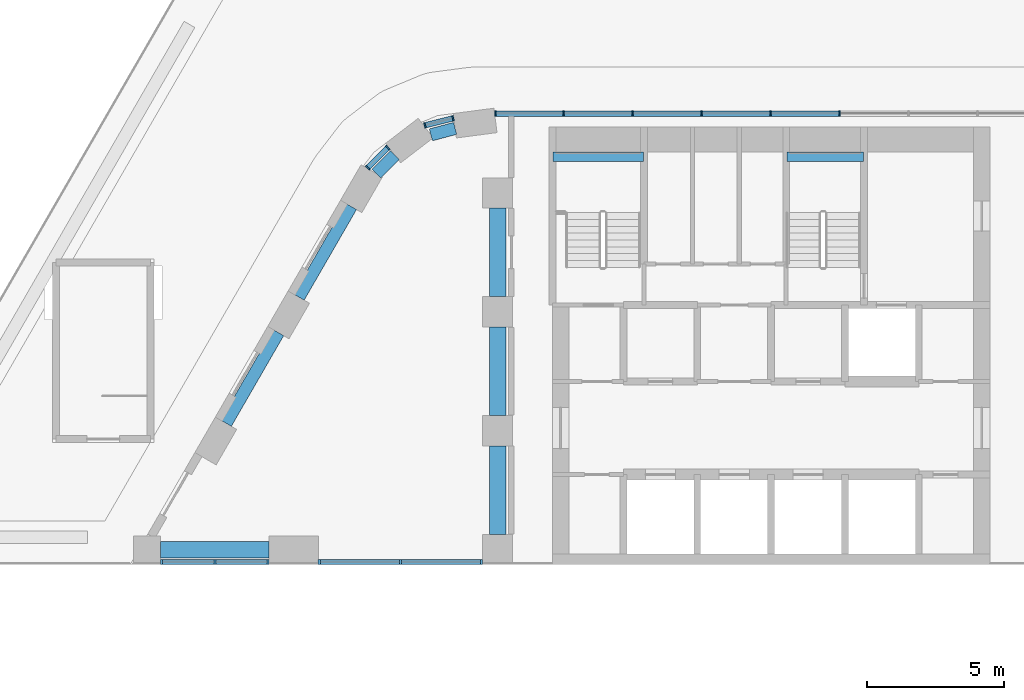
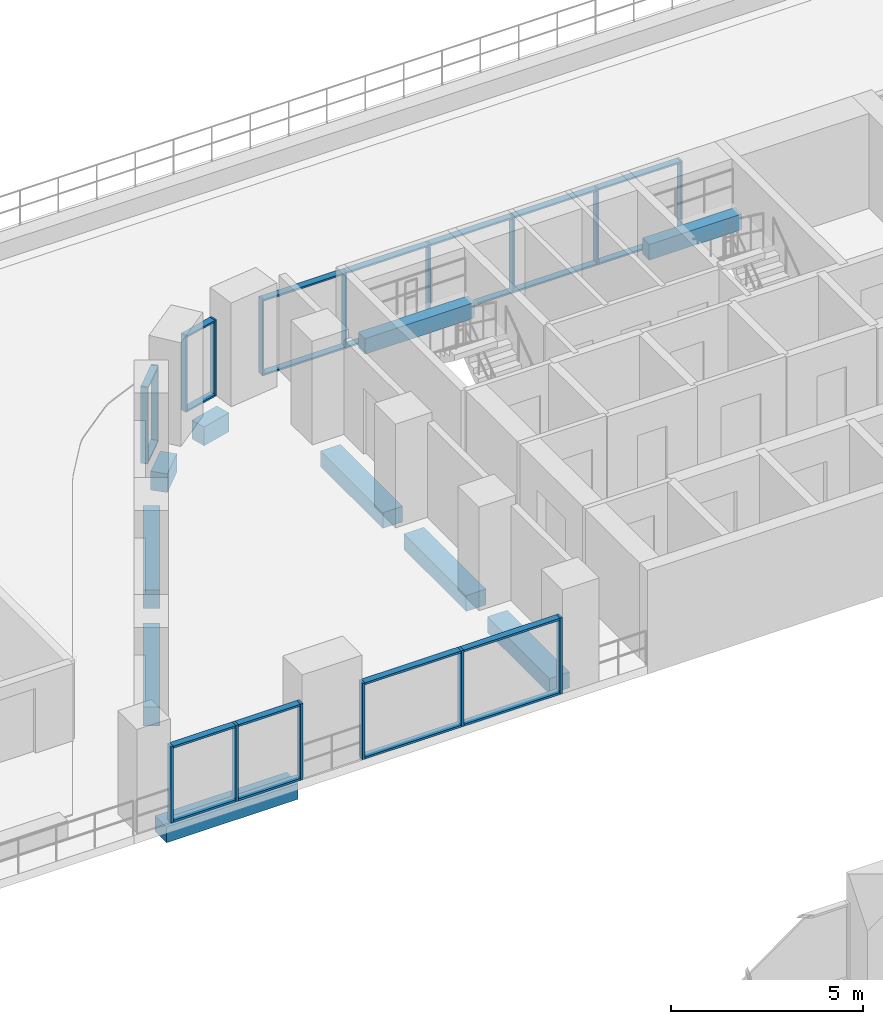
# One storey, part 4 of 24: 38 members, 10 beams, 5 elements without a shape of their own.
"""IFC4 building model written with IfcOpenShell, lengths in metres."""

from ifc_helpers import new_model, si_unit, direction, frame, origin, origin_2d, place, context, subcontext, project, spatial, rectangle, extrude, material, layer, layer_set, material_profile, profile_set, type_object, element, aggregate, save


model = new_model("IFC4")

# Units and contexts
model_context = context("Model", 3, precision=1e-05, world=origin(), true_north=direction((0.0, 1.0)))
body_context = subcontext(model_context, "Body", "Model", "MODEL_VIEW")
ifc_project = project(units=[si_unit("LENGTHUNIT", "METRE"), si_unit("AREAUNIT", "SQUARE_METRE"), si_unit("VOLUMEUNIT", "CUBIC_METRE"), si_unit("PLANEANGLEUNIT", "RADIAN"), si_unit("MASSUNIT", "GRAM", prefix="KILO")], contexts=[model_context])

# Site, building, storey
site_placement = place(None, origin())
site = spatial("IfcSite", under=ifc_project, at=site_placement, CompositionType="ELEMENT")
building_placement = place(site_placement, origin())
building = spatial("IfcBuilding", under=site, at=building_placement, Name="Nakaniwa Court", CompositionType="ELEMENT")
storey_placement = place(building_placement, frame((0.0, 0.0, 28.199951171875)))
storey = spatial("IfcBuildingStorey", under=building, at=storey_placement, Name="L06", CompositionType="ELEMENT", Elevation=28.199951171875)

# Curtain wall, members
ifc_material_1 = material(Name="Black anodised aluminium frame with dark low-E laminated double glazing", Category="aluminium")
ifc_layer_1 = layer(ifc_material_1, 0.199951171875)
ifc_layer_set_1 = layer_set([ifc_layer_1], Name="Black anodised aluminium frame with dark low-E laminated double glazing")
curtain_wall_type_1 = type_object("IfcCurtainWallType", Name="Amenity and sky level curtain wall", PredefinedType="NOTDEFINED", material=ifc_layer_set_1)
curtain_wall_1_placement = place(storey_placement, origin())
curtain_wall_1 = element("IfcCurtainWall", 1, at=curtain_wall_1_placement, inside=storey, type_object=curtain_wall_type_1, Name="L06 curtain wall CW3 26", PredefinedType="NOTDEFINED")
ifc_material_2 = material(Name="Black anodised aluminium extrusion", Category="aluminium")
ifc_material_profile_1 = material_profile(ifc_material_2, rectangle(XDim=0.199951171875, YDim=0.054931640625, at=origin_2d()), Name="Amenity and sky level curtain wall mullion 55x200")
ifc_profile_set_1 = profile_set([ifc_material_profile_1], Name="Black anodised aluminium extrusion")
member_type_1 = type_object("IfcMemberType", Name="Amenity and sky level curtain wall mullion 55x200", PredefinedType="MULLION", material=ifc_profile_set_1)
member_1_placement = place(storey_placement, frame((82.50732421875, 103.89990234375, 0.0), z_axis=(0.0, 0.0, 1.0), x_axis=(0.0, -1.0, 0.0)))
member_1 = element("IfcMember", 2, at=member_1_placement, type_object=member_type_1, Name="CW3 mullion 4", PredefinedType="MULLION", context=body_context, shape_type="SweptSolid", body=[
    extrude(rectangle(XDim=0.199951171875, YDim=0.054931640625, at=origin_2d()), origin(), (0.0, 0.0, 1.0), 2.425048828125),
])
member_2_placement = place(storey_placement, frame((79.9833984375, 103.89990234375, 0.0), z_axis=(0.0, 0.0, 1.0), x_axis=(0.0, -1.0, 0.0)))
member_2 = element("IfcMember", 3, at=member_2_placement, type_object=member_type_1, Name="CW3 mullion 5", PredefinedType="MULLION", context=body_context, shape_type="SweptSolid", body=[
    extrude(rectangle(XDim=0.199951171875, YDim=0.054931640625, at=origin_2d()), origin(), (0.0, 0.0, 1.0), 2.425048828125),
])
member_3_placement = place(storey_placement, frame((77.459716796875, 103.89990234375, 0.0), z_axis=(0.0, 0.0, 1.0), x_axis=(0.0, -1.0, 0.0)))
member_3 = element("IfcMember", 4, at=member_3_placement, type_object=member_type_1, Name="CW3 mullion 6", PredefinedType="MULLION", context=body_context, shape_type="SweptSolid", body=[
    extrude(rectangle(XDim=0.199951171875, YDim=0.054931640625, at=origin_2d()), origin(), (0.0, 0.0, 1.0), 2.425048828125),
])
member_4_placement = place(storey_placement, frame((74.935791015625, 103.89990234375, 0.0), z_axis=(0.0, 0.0, 1.0), x_axis=(0.0, -1.0, 0.0)))
member_4 = element("IfcMember", 5, at=member_4_placement, type_object=member_type_1, Name="CW3 mullion 7", PredefinedType="MULLION", context=body_context, shape_type="SweptSolid", body=[
    extrude(rectangle(XDim=0.199951171875, YDim=0.054931640625, at=origin_2d()), origin(), (0.0, 0.0, 1.0), 2.425048828125),
])
member_5_placement = place(storey_placement, frame((72.412109375, 103.89990234375, 0.0), z_axis=(0.0, 0.0, 1.0), x_axis=(0.0, -1.0, 0.0)))
member_5 = element("IfcMember", 6, at=member_5_placement, type_object=member_type_1, Name="CW3 mullion 8", PredefinedType="MULLION", context=body_context, shape_type="SweptSolid", body=[
    extrude(rectangle(XDim=0.199951171875, YDim=0.054931640625, at=origin_2d()), origin(), (0.0, 0.0, 1.0), 2.425048828125),
])
member_6_placement = place(storey_placement, frame((69.915771484375, 103.89990234375, 0.0), z_axis=(0.0, 0.0, 1.0), x_axis=(0.0, -1.0, 0.0)))
member_6 = element("IfcMember", 7, at=member_6_placement, type_object=member_type_1, Name="CW3 mullion 9", PredefinedType="MULLION", context=body_context, shape_type="SweptSolid", body=[
    extrude(rectangle(XDim=0.199951171875, YDim=0.054931640625, at=origin_2d()), origin(), (0.0, 0.0, 1.0), 2.425048828125),
])

curtain_wall_2_placement = place(storey_placement, origin())
curtain_wall_2 = element("IfcCurtainWall", 8, at=curtain_wall_2_placement, inside=storey, type_object=curtain_wall_type_1, Name="L06 curtain wall CW3 27", PredefinedType="NOTDEFINED")
member_7_placement = place(storey_placement, frame((68.366455078125, 103.724853515625, 0.0), z_axis=(0.0, 0.0, 1.0), x_axis=(0.243933729426, -0.96979190327, 0.0)))
member_7 = element("IfcMember", 9, at=member_7_placement, type_object=member_type_1, Name="CW3 mullion 1", PredefinedType="MULLION", context=body_context, shape_type="SweptSolid", body=[
    extrude(rectangle(XDim=0.199951171875, YDim=0.054931640625, at=origin_2d()), origin(), (0.0, 0.0, 1.0), 2.425048828125),
])
member_8_placement = place(storey_placement, frame((67.3427734375, 103.46728515625, 0.0), z_axis=(0.0, 0.0, 1.0), x_axis=(0.243933729426, -0.96979190327, 0.0)))
member_8 = element("IfcMember", 10, at=member_8_placement, type_object=member_type_1, Name="CW3 mullion 2", PredefinedType="MULLION", context=body_context, shape_type="SweptSolid", body=[
    extrude(rectangle(XDim=0.199951171875, YDim=0.054931640625, at=origin_2d()), origin(), (0.0, 0.0, 1.0), 2.425048828125),
])

curtain_wall_3_placement = place(storey_placement, origin())
curtain_wall_3 = element("IfcCurtainWall", 11, at=curtain_wall_3_placement, inside=storey, type_object=curtain_wall_type_1, Name="L06 curtain wall CW3 28", PredefinedType="NOTDEFINED")
member_9_placement = place(storey_placement, frame((65.98681640625, 102.653564453125, 0.0), z_axis=(0.0, 0.0, 1.0), x_axis=(0.70518194354, -0.709026393377, 0.0)))
member_9 = element("IfcMember", 12, at=member_9_placement, type_object=member_type_1, Name="CW3 mullion 1", PredefinedType="MULLION", context=body_context, shape_type="SweptSolid", body=[
    extrude(rectangle(XDim=0.199951171875, YDim=0.054931640625, at=origin_2d()), origin(), (0.0, 0.0, 1.0), 2.425048828125),
])
member_10_placement = place(storey_placement, frame((65.251220703125, 101.921875, 0.0), z_axis=(0.0, 0.0, 1.0), x_axis=(0.70518194354, -0.709026393377, 0.0)))
member_10 = element("IfcMember", 13, at=member_10_placement, type_object=member_type_1, Name="CW3 mullion 2", PredefinedType="MULLION", context=body_context, shape_type="SweptSolid", body=[
    extrude(rectangle(XDim=0.199951171875, YDim=0.054931640625, at=origin_2d()), origin(), (0.0, 0.0, 1.0), 2.425048828125),
])

# Member
ifc_material_profile_2 = material_profile(ifc_material_2, rectangle(XDim=0.199951171875, YDim=0.054931640625, at=origin_2d()), Name="Amenity and sky level curtain wall transom 55x200")
ifc_profile_set_2 = profile_set([ifc_material_profile_2], Name="Black anodised aluminium extrusion")
member_type_2 = type_object("IfcMemberType", Name="Amenity and sky level curtain wall transom 55x200", PredefinedType="USERDEFINED", material=ifc_profile_set_2)
member_11_placement = place(storey_placement, frame((82.479736328125, 103.89990234375, 0.027587890625), z_axis=(-1.0, 0.0, 0.0), x_axis=(0.0, -1.0, 0.0)))
member_11 = element("IfcMember", 14, at=member_11_placement, type_object=member_type_2, Name="CW3 transom 4.1", ObjectType="TRANSOM", PredefinedType="USERDEFINED", context=body_context, shape_type="SweptSolid", body=[
    extrude(rectangle(XDim=0.199951171875, YDim=0.054931640625, at=origin_2d()), origin(), (0.0, 0.0, 1.0), 2.46875),
])

member_12_placement = place(storey_placement, frame((82.479736328125, 103.89990234375, 2.3974609375), z_axis=(-1.0, 0.0, 0.0), x_axis=(0.0, -1.0, 0.0)))
member_12 = element("IfcMember", 15, at=member_12_placement, type_object=member_type_2, Name="CW3 transom 4.2", ObjectType="TRANSOM", PredefinedType="USERDEFINED", context=body_context, shape_type="SweptSolid", body=[
    extrude(rectangle(XDim=0.199951171875, YDim=0.054931640625, at=origin_2d()), origin(), (0.0, 0.0, 1.0), 2.46875),
])

member_13_placement = place(storey_placement, frame((79.9560546875, 103.89990234375, 0.027587890625), z_axis=(-1.0, 0.0, 0.0), x_axis=(0.0, -1.0, 0.0)))
member_13 = element("IfcMember", 16, at=member_13_placement, type_object=member_type_2, Name="CW3 transom 5.1", ObjectType="TRANSOM", PredefinedType="USERDEFINED", context=body_context, shape_type="SweptSolid", body=[
    extrude(rectangle(XDim=0.199951171875, YDim=0.054931640625, at=origin_2d()), origin(), (0.0, 0.0, 1.0), 2.46875),
])

member_14_placement = place(storey_placement, frame((79.9560546875, 103.89990234375, 2.3974609375), z_axis=(-1.0, 0.0, 0.0), x_axis=(0.0, -1.0, 0.0)))
member_14 = element("IfcMember", 17, at=member_14_placement, type_object=member_type_2, Name="CW3 transom 5.2", ObjectType="TRANSOM", PredefinedType="USERDEFINED", context=body_context, shape_type="SweptSolid", body=[
    extrude(rectangle(XDim=0.199951171875, YDim=0.054931640625, at=origin_2d()), origin(), (0.0, 0.0, 1.0), 2.46875),
])

member_15_placement = place(storey_placement, frame((77.43212890625, 103.89990234375, 0.027587890625), z_axis=(-1.0, 0.0, 0.0), x_axis=(0.0, -1.0, 0.0)))
member_15 = element("IfcMember", 18, at=member_15_placement, type_object=member_type_2, Name="CW3 transom 6.1", ObjectType="TRANSOM", PredefinedType="USERDEFINED", context=body_context, shape_type="SweptSolid", body=[
    extrude(rectangle(XDim=0.199951171875, YDim=0.054931640625, at=origin_2d()), origin(), (0.0, 0.0, 1.0), 2.46875),
])

member_16_placement = place(storey_placement, frame((77.43212890625, 103.89990234375, 2.3974609375), z_axis=(-1.0, 0.0, 0.0), x_axis=(0.0, -1.0, 0.0)))
member_16 = element("IfcMember", 19, at=member_16_placement, type_object=member_type_2, Name="CW3 transom 6.2", ObjectType="TRANSOM", PredefinedType="USERDEFINED", context=body_context, shape_type="SweptSolid", body=[
    extrude(rectangle(XDim=0.199951171875, YDim=0.054931640625, at=origin_2d()), origin(), (0.0, 0.0, 1.0), 2.46875),
])

member_17_placement = place(storey_placement, frame((74.908447265625, 103.89990234375, 0.027587890625), z_axis=(-1.0, 0.0, 0.0), x_axis=(0.0, -1.0, 0.0)))
member_17 = element("IfcMember", 20, at=member_17_placement, type_object=member_type_2, Name="CW3 transom 7.1", ObjectType="TRANSOM", PredefinedType="USERDEFINED", context=body_context, shape_type="SweptSolid", body=[
    extrude(rectangle(XDim=0.199951171875, YDim=0.054931640625, at=origin_2d()), origin(), (0.0, 0.0, 1.0), 2.46875),
])

member_18_placement = place(storey_placement, frame((74.908447265625, 103.89990234375, 2.3974609375), z_axis=(-1.0, 0.0, 0.0), x_axis=(0.0, -1.0, 0.0)))
member_18 = element("IfcMember", 21, at=member_18_placement, type_object=member_type_2, Name="CW3 transom 7.2", ObjectType="TRANSOM", PredefinedType="USERDEFINED", context=body_context, shape_type="SweptSolid", body=[
    extrude(rectangle(XDim=0.199951171875, YDim=0.054931640625, at=origin_2d()), origin(), (0.0, 0.0, 1.0), 2.46875),
])

member_19_placement = place(storey_placement, frame((72.384521484375, 103.89990234375, 0.027587890625), z_axis=(-1.0, 0.0, 0.0), x_axis=(0.0, -1.0, 0.0)))
member_19 = element("IfcMember", 22, at=member_19_placement, type_object=member_type_2, Name="CW3 transom 8.1", ObjectType="TRANSOM", PredefinedType="USERDEFINED", context=body_context, shape_type="SweptSolid", body=[
    extrude(rectangle(XDim=0.199951171875, YDim=0.054931640625, at=origin_2d()), origin(), (0.0, 0.0, 1.0), 2.441162109375),
])

member_20_placement = place(storey_placement, frame((72.384521484375, 103.89990234375, 2.3974609375), z_axis=(-1.0, 0.0, 0.0), x_axis=(0.0, -1.0, 0.0)))
member_20 = element("IfcMember", 23, at=member_20_placement, type_object=member_type_2, Name="CW3 transom 8.2", ObjectType="TRANSOM", PredefinedType="USERDEFINED", context=body_context, shape_type="SweptSolid", body=[
    extrude(rectangle(XDim=0.199951171875, YDim=0.054931640625, at=origin_2d()), origin(), (0.0, 0.0, 1.0), 2.441162109375),
])

aggregate(curtain_wall_1, [member_1, member_2, member_3, member_4, member_5, member_6, member_11, member_12, member_13, member_14, member_15, member_16, member_17, member_18, member_19, member_20])

member_21_placement = place(storey_placement, frame((68.33984375, 103.718017578125, 0.027587890625), z_axis=(-0.969840357847, -0.243741010689, 0.0), x_axis=(0.243741010689, -0.969840357847, 0.0)))
member_21 = element("IfcMember", 24, at=member_21_placement, type_object=member_type_2, Name="CW3 transom 1.1", ObjectType="TRANSOM", PredefinedType="USERDEFINED", context=body_context, shape_type="SweptSolid", body=[
    extrude(rectangle(XDim=0.199951171875, YDim=0.054931640625, at=origin_2d()), origin(), (0.0, 0.0, 1.0), 1.000732421875),
])

member_22_placement = place(storey_placement, frame((68.33984375, 103.718017578125, 2.3974609375), z_axis=(-0.969840357847, -0.243741010689, 0.0), x_axis=(0.243741010689, -0.969840357847, 0.0)))
member_22 = element("IfcMember", 25, at=member_22_placement, type_object=member_type_2, Name="CW3 transom 1.2", ObjectType="TRANSOM", PredefinedType="USERDEFINED", context=body_context, shape_type="SweptSolid", body=[
    extrude(rectangle(XDim=0.199951171875, YDim=0.054931640625, at=origin_2d()), origin(), (0.0, 0.0, 1.0), 1.000732421875),
])

aggregate(curtain_wall_2, [member_7, member_8, member_21, member_22])

member_23_placement = place(storey_placement, frame((65.96728515625, 102.634033203125, 0.027587890625), z_axis=(-0.709092327244, -0.705115644021, 0.0), x_axis=(0.705115644021, -0.709092327244, 0.0)))
member_23 = element("IfcMember", 26, at=member_23_placement, type_object=member_type_2, Name="CW3 transom 1.1", ObjectType="TRANSOM", PredefinedType="USERDEFINED", context=body_context, shape_type="SweptSolid", body=[
    extrude(rectangle(XDim=0.199951171875, YDim=0.054931640625, at=origin_2d()), origin(), (0.0, 0.0, 1.0), 0.982177734375),
])

member_24_placement = place(storey_placement, frame((65.96728515625, 102.634033203125, 2.3974609375), z_axis=(-0.709092327244, -0.705115644021, 0.0), x_axis=(0.705115644021, -0.709092327244, 0.0)))
member_24 = element("IfcMember", 27, at=member_24_placement, type_object=member_type_2, Name="CW3 transom 1.2", ObjectType="TRANSOM", PredefinedType="USERDEFINED", context=body_context, shape_type="SweptSolid", body=[
    extrude(rectangle(XDim=0.199951171875, YDim=0.054931640625, at=origin_2d()), origin(), (0.0, 0.0, 1.0), 0.982177734375),
])

aggregate(curtain_wall_3, [member_9, member_10, member_23, member_24])

# Beams
ifc_material_3 = material(Name="Concrete C100/115", Category="concrete")
ifc_material_profile_3 = material_profile(ifc_material_3, rectangle(XDim=0.449951171875, YDim=0.60009765625, at=origin_2d()), Name="Concrete C100/115 RC 450x600 spandrel beam")
ifc_profile_set_3 = profile_set([ifc_material_profile_3], Name="Concrete C100/115")
beam_type_1 = type_object("IfcBeamType", Name="Concrete C100/115 RC 450x600 spandrel beam", PredefinedType="BEAM", material=ifc_profile_set_3)
beam_1_placement = place(storey_placement, frame((68.444580078125, 103.35546875, -0.574951171875), z_axis=(-0.966287893493, -0.25746399144, 0.0), x_axis=(0.25746399144, -0.966287893493, 0.0)))
element("IfcBeam", 28, at=beam_1_placement, inside=storey, type_object=beam_type_1, Name="SPANDREL BEAM", PredefinedType="BEAM", context=body_context, shape_type="SweptSolid", body=[
    extrude(rectangle(XDim=0.449951171875, YDim=0.60009765625, at=origin_2d()), origin(), (0.0, 0.0, 1.0), 0.91796875),
])
beam_2_placement = place(storey_placement, frame((66.238525390625, 102.374267578125, -0.574951171875), z_axis=(-0.706081618928, -0.708130459317, 0.0), x_axis=(0.708130459317, -0.706081618928, 0.0)))
element("IfcBeam", 29, at=beam_2_placement, inside=storey, type_object=beam_type_1, Name="SPANDREL BEAM", PredefinedType="BEAM", context=body_context, shape_type="SweptSolid", body=[
    extrude(rectangle(XDim=0.449951171875, YDim=0.60009765625, at=origin_2d()), origin(), (0.0, 0.0, 1.0), 0.953369140625),
])
beam_3_placement = place(storey_placement, frame((64.642578125, 100.5, -0.574951171875), z_axis=(-0.500009674092, -0.866019818373, 0.0), x_axis=(0.866019818373, -0.500009674092, 0.0)))
element("IfcBeam", 30, at=beam_3_placement, inside=storey, type_object=beam_type_1, Name="SPANDREL BEAM", PredefinedType="BEAM", context=body_context, shape_type="SweptSolid", body=[
    extrude(rectangle(XDim=0.449951171875, YDim=0.60009765625, at=origin_2d()), origin(), (0.0, 0.0, 1.0), 3.826171875),
])
beam_4_placement = place(storey_placement, frame((61.9794921875, 95.8876953125, -0.574951171875), z_axis=(-0.499961815444, -0.866047448526, 0.0), x_axis=(0.866047448526, -0.499961815444, 0.0)))
element("IfcBeam", 31, at=beam_4_placement, inside=storey, type_object=beam_type_1, Name="SPANDREL BEAM", PredefinedType="BEAM", context=body_context, shape_type="SweptSolid", body=[
    extrude(rectangle(XDim=0.449951171875, YDim=0.60009765625, at=origin_2d()), origin(), (0.0, 0.0, 1.0), 3.825927734375),
])
ifc_material_profile_4 = material_profile(ifc_material_3, rectangle(XDim=0.60009765625, YDim=0.5, at=origin_2d()), Name="Concrete C100/115 RC 600x500 ring beam")
ifc_profile_set_4 = profile_set([ifc_material_profile_4], Name="Concrete C100/115")
beam_type_2 = type_object("IfcBeamType", Name="Concrete C100/115 RC 600x500 ring beam", PredefinedType="BEAM", material=ifc_profile_set_4)
for number, where, z_axis, x_axis, name in (
    (32, (70.0, 100.449951171875, -0.52490234375), (0.0, -1.0, 0.0), (1.0, 0.0, 0.0), "RING BEAM"),
    (33, (70.0, 96.10009765625, -0.52490234375), (0.0, -1.0, 0.0), (1.0, 0.0, 0.0), "RING BEAM"),
    (34, (70.0, 91.75, -0.52490234375), (0.0, -1.0, 0.0), (1.0, 0.0, 0.0), "RING BEAM"),
):
    element("IfcBeam", number, at=place(storey_placement, frame(where, z_axis=z_axis, x_axis=x_axis)), inside=storey, type_object=beam_type_2, Name=name, PredefinedType="BEAM", context=body_context, shape_type="SweptSolid", body=[
        extrude(rectangle(XDim=0.60009765625, YDim=0.5, at=origin_2d()), origin(), (0.0, 0.0, 1.0), 3.25),
    ])
beam_5_placement = place(storey_placement, frame((57.677001953125, 87.949951171875, -0.52490234375), z_axis=(1.0, 0.0, 0.0), x_axis=(0.0, 1.0, 0.0)))
element("IfcBeam", 35, at=beam_5_placement, inside=storey, type_object=beam_type_2, Name="RING BEAM", PredefinedType="BEAM", context=body_context, shape_type="SweptSolid", body=[
    extrude(rectangle(XDim=0.60009765625, YDim=0.5, at=origin_2d()), origin(), (0.0, 0.0, 1.0), 3.965087890625),
])
ifc_material_4 = material(Name="Concrete C80/100", Category="concrete")
ifc_material_profile_5 = material_profile(ifc_material_4, rectangle(XDim=0.35009765625, YDim=0.5, at=origin_2d()), Name="Concrete C80/100 RC 350x500 landing ledge beam")
ifc_profile_set_5 = profile_set([ifc_material_profile_5], Name="Concrete C80/100")
beam_type_3 = type_object("IfcBeamType", Name="Concrete C80/100 RC 350x500 landing ledge beam", PredefinedType="BEAM", material=ifc_profile_set_5)
beam_6_placement = place(storey_placement, frame((72.02490234375, 102.324951171875, 1.199951171875), z_axis=(1.0, 0.0, 0.0), x_axis=(0.0, 1.0, 0.0)))
element("IfcBeam", 36, at=beam_6_placement, inside=storey, type_object=beam_type_3, Name="LANDING LEDGE BEAM", PredefinedType="BEAM", context=body_context, shape_type="SweptSolid", body=[
    extrude(rectangle(XDim=0.35009765625, YDim=0.5, at=origin_2d()), origin(), (0.0, 0.0, 1.0), 3.300048828125),
])
beam_7_placement = place(storey_placement, frame((80.574951171875, 102.324951171875, 1.199951171875), z_axis=(1.0, 0.0, 0.0), x_axis=(0.0, 1.0, 0.0)))
element("IfcBeam", 37, at=beam_7_placement, inside=storey, type_object=beam_type_3, Name="LANDING LEDGE BEAM", PredefinedType="BEAM", context=body_context, shape_type="SweptSolid", body=[
    extrude(rectangle(XDim=0.35009765625, YDim=0.5, at=origin_2d()), origin(), (0.0, 0.0, 1.0), 2.800048828125),
])

# Curtain wall, members
ifc_layer_2 = layer(ifc_material_1, 0.199951171875)
ifc_layer_set_2 = layer_set([ifc_layer_2], Name="Black anodised aluminium frame with dark low-E laminated double glazing")
curtain_wall_type_2 = type_object("IfcCurtainWallType", Name="Portal side curtain wall", PredefinedType="NOTDEFINED", material=ifc_layer_set_2)
curtain_wall_4_placement = place(storey_placement, origin())
curtain_wall_4 = element("IfcCurtainWall", 38, at=curtain_wall_4_placement, inside=storey, type_object=curtain_wall_type_2, Name="L06 curtain wall CW5 17", PredefinedType="NOTDEFINED")
ifc_material_profile_6 = material_profile(ifc_material_2, rectangle(XDim=0.199951171875, YDim=0.074951171875, at=origin_2d()), Name="Portal side curtain wall mullion 75x200")
ifc_profile_set_6 = profile_set([ifc_material_profile_6], Name="Black anodised aluminium extrusion")
member_type_3 = type_object("IfcMemberType", Name="Portal side curtain wall mullion 75x200", PredefinedType="MULLION", material=ifc_profile_set_6)
member_25_placement = place(storey_placement, frame((57.71044921875, 87.5, 0.0), z_axis=(0.0, 0.0, 1.0), x_axis=(0.0, 1.0, 0.0)))
member_25 = element("IfcMember", 39, at=member_25_placement, type_object=member_type_3, Name="CW5 mullion 1", PredefinedType="MULLION", context=body_context, shape_type="SweptSolid", body=[
    extrude(rectangle(XDim=0.199951171875, YDim=0.074951171875, at=origin_2d()), origin(), (0.0, 0.0, 1.0), 2.425048828125),
])
member_26_placement = place(storey_placement, frame((59.659423828125, 87.5, 0.0), z_axis=(0.0, 0.0, 1.0), x_axis=(0.0, 1.0, 0.0)))
member_26 = element("IfcMember", 40, at=member_26_placement, type_object=member_type_3, Name="CW5 mullion 2", PredefinedType="MULLION", context=body_context, shape_type="SweptSolid", body=[
    extrude(rectangle(XDim=0.199951171875, YDim=0.074951171875, at=origin_2d()), origin(), (0.0, 0.0, 1.0), 2.425048828125),
])
member_27_placement = place(storey_placement, frame((61.6083984375, 87.5, 0.0), z_axis=(0.0, 0.0, 1.0), x_axis=(0.0, 1.0, 0.0)))
member_27 = element("IfcMember", 41, at=member_27_placement, type_object=member_type_3, Name="CW5 mullion 3", PredefinedType="MULLION", context=body_context, shape_type="SweptSolid", body=[
    extrude(rectangle(XDim=0.199951171875, YDim=0.074951171875, at=origin_2d()), origin(), (0.0, 0.0, 1.0), 2.425048828125),
])

curtain_wall_5_placement = place(storey_placement, origin())
curtain_wall_5 = element("IfcCurtainWall", 42, at=curtain_wall_5_placement, inside=storey, type_object=curtain_wall_type_2, Name="L06 curtain wall CW5 18", PredefinedType="NOTDEFINED")
member_28_placement = place(storey_placement, frame((63.4755859375, 87.5, 0.0), z_axis=(0.0, 0.0, 1.0), x_axis=(0.0, 1.0, 0.0)))
member_28 = element("IfcMember", 43, at=member_28_placement, type_object=member_type_3, Name="CW5 mullion 1", PredefinedType="MULLION", context=body_context, shape_type="SweptSolid", body=[
    extrude(rectangle(XDim=0.199951171875, YDim=0.074951171875, at=origin_2d()), origin(), (0.0, 0.0, 1.0), 2.425048828125),
])
member_29_placement = place(storey_placement, frame((66.446044921875, 87.5, 0.0), z_axis=(0.0, 0.0, 1.0), x_axis=(0.0, 1.0, 0.0)))
member_29 = element("IfcMember", 44, at=member_29_placement, type_object=member_type_3, Name="CW5 mullion 2", PredefinedType="MULLION", context=body_context, shape_type="SweptSolid", body=[
    extrude(rectangle(XDim=0.199951171875, YDim=0.074951171875, at=origin_2d()), origin(), (0.0, 0.0, 1.0), 2.425048828125),
])
member_30_placement = place(storey_placement, frame((69.41650390625, 87.5, 0.0), z_axis=(0.0, 0.0, 1.0), x_axis=(0.0, 1.0, 0.0)))
member_30 = element("IfcMember", 45, at=member_30_placement, type_object=member_type_3, Name="CW5 mullion 3", PredefinedType="MULLION", context=body_context, shape_type="SweptSolid", body=[
    extrude(rectangle(XDim=0.199951171875, YDim=0.074951171875, at=origin_2d()), origin(), (0.0, 0.0, 1.0), 2.425048828125),
])

# Member
ifc_material_profile_7 = material_profile(ifc_material_2, rectangle(XDim=0.199951171875, YDim=0.06494140625, at=origin_2d()), Name="Portal side curtain wall transom 65x200")
ifc_profile_set_7 = profile_set([ifc_material_profile_7], Name="Black anodised aluminium extrusion")
member_type_4 = type_object("IfcMemberType", Name="Portal side curtain wall transom 65x200", PredefinedType="USERDEFINED", material=ifc_profile_set_7)
member_31_placement = place(storey_placement, frame((57.748046875, 87.5, 0.032470703125), z_axis=(1.0, 0.0, 0.0), x_axis=(0.0, 1.0, 0.0)))
member_31 = element("IfcMember", 46, at=member_31_placement, type_object=member_type_4, Name="CW5 transom 1.1", ObjectType="TRANSOM", PredefinedType="USERDEFINED", context=body_context, shape_type="SweptSolid", body=[
    extrude(rectangle(XDim=0.199951171875, YDim=0.06494140625, at=origin_2d()), origin(), (0.0, 0.0, 1.0), 1.8740234375),
])

member_32_placement = place(storey_placement, frame((57.748046875, 87.5, 2.392578125), z_axis=(1.0, 0.0, 0.0), x_axis=(0.0, 1.0, 0.0)))
member_32 = element("IfcMember", 47, at=member_32_placement, type_object=member_type_4, Name="CW5 transom 1.2", ObjectType="TRANSOM", PredefinedType="USERDEFINED", context=body_context, shape_type="SweptSolid", body=[
    extrude(rectangle(XDim=0.199951171875, YDim=0.06494140625, at=origin_2d()), origin(), (0.0, 0.0, 1.0), 1.8740234375),
])

member_33_placement = place(storey_placement, frame((59.697021484375, 87.5, 0.032470703125), z_axis=(1.0, 0.0, 0.0), x_axis=(0.0, 1.0, 0.0)))
member_33 = element("IfcMember", 48, at=member_33_placement, type_object=member_type_4, Name="CW5 transom 2.1", ObjectType="TRANSOM", PredefinedType="USERDEFINED", context=body_context, shape_type="SweptSolid", body=[
    extrude(rectangle(XDim=0.199951171875, YDim=0.06494140625, at=origin_2d()), origin(), (0.0, 0.0, 1.0), 1.8740234375),
])

member_34_placement = place(storey_placement, frame((59.697021484375, 87.5, 2.392578125), z_axis=(1.0, 0.0, 0.0), x_axis=(0.0, 1.0, 0.0)))
member_34 = element("IfcMember", 49, at=member_34_placement, type_object=member_type_4, Name="CW5 transom 2.2", ObjectType="TRANSOM", PredefinedType="USERDEFINED", context=body_context, shape_type="SweptSolid", body=[
    extrude(rectangle(XDim=0.199951171875, YDim=0.06494140625, at=origin_2d()), origin(), (0.0, 0.0, 1.0), 1.8740234375),
])

aggregate(curtain_wall_4, [member_25, member_26, member_27, member_31, member_32, member_33, member_34])

member_35_placement = place(storey_placement, frame((63.512939453125, 87.5, 0.032470703125), z_axis=(1.0, 0.0, 0.0), x_axis=(0.0, 1.0, 0.0)))
member_35 = element("IfcMember", 50, at=member_35_placement, type_object=member_type_4, Name="CW5 transom 1.1", ObjectType="TRANSOM", PredefinedType="USERDEFINED", context=body_context, shape_type="SweptSolid", body=[
    extrude(rectangle(XDim=0.199951171875, YDim=0.06494140625, at=origin_2d()), origin(), (0.0, 0.0, 1.0), 2.8955078125),
])

member_36_placement = place(storey_placement, frame((63.512939453125, 87.5, 2.392578125), z_axis=(1.0, 0.0, 0.0), x_axis=(0.0, 1.0, 0.0)))
member_36 = element("IfcMember", 51, at=member_36_placement, type_object=member_type_4, Name="CW5 transom 1.2", ObjectType="TRANSOM", PredefinedType="USERDEFINED", context=body_context, shape_type="SweptSolid", body=[
    extrude(rectangle(XDim=0.199951171875, YDim=0.06494140625, at=origin_2d()), origin(), (0.0, 0.0, 1.0), 2.8955078125),
])

member_37_placement = place(storey_placement, frame((66.4833984375, 87.5, 0.032470703125), z_axis=(1.0, 0.0, 0.0), x_axis=(0.0, 1.0, 0.0)))
member_37 = element("IfcMember", 52, at=member_37_placement, type_object=member_type_4, Name="CW5 transom 2.1", ObjectType="TRANSOM", PredefinedType="USERDEFINED", context=body_context, shape_type="SweptSolid", body=[
    extrude(rectangle(XDim=0.199951171875, YDim=0.06494140625, at=origin_2d()), origin(), (0.0, 0.0, 1.0), 2.8955078125),
])

member_38_placement = place(storey_placement, frame((66.4833984375, 87.5, 2.392578125), z_axis=(1.0, 0.0, 0.0), x_axis=(0.0, 1.0, 0.0)))
member_38 = element("IfcMember", 53, at=member_38_placement, type_object=member_type_4, Name="CW5 transom 2.2", ObjectType="TRANSOM", PredefinedType="USERDEFINED", context=body_context, shape_type="SweptSolid", body=[
    extrude(rectangle(XDim=0.199951171875, YDim=0.06494140625, at=origin_2d()), origin(), (0.0, 0.0, 1.0), 2.8955078125),
])

aggregate(curtain_wall_5, [member_28, member_29, member_30, member_35, member_36, member_37, member_38])

save(model, "model.ifc")
